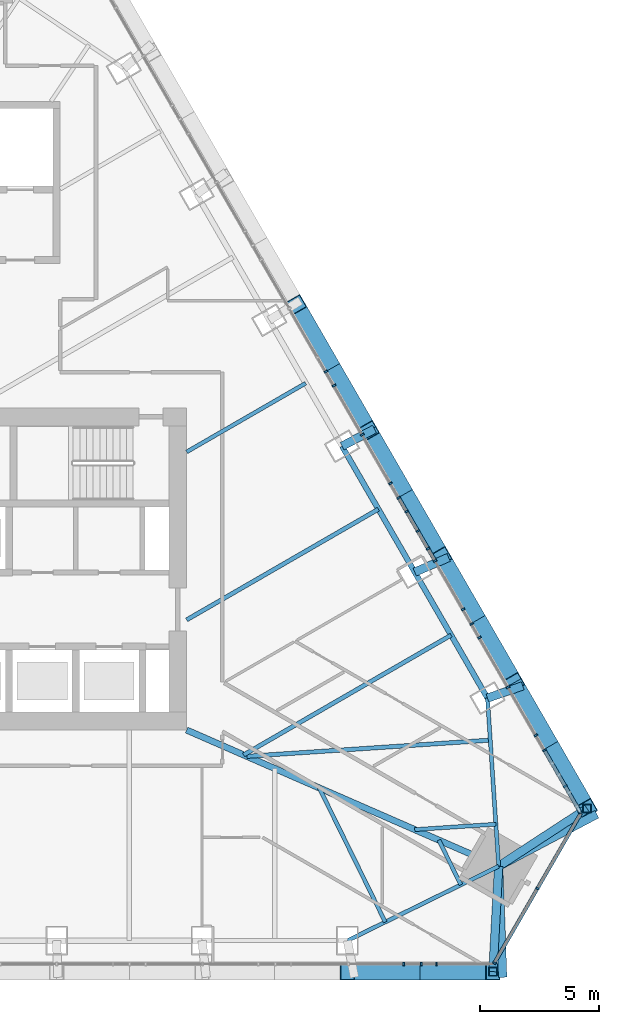
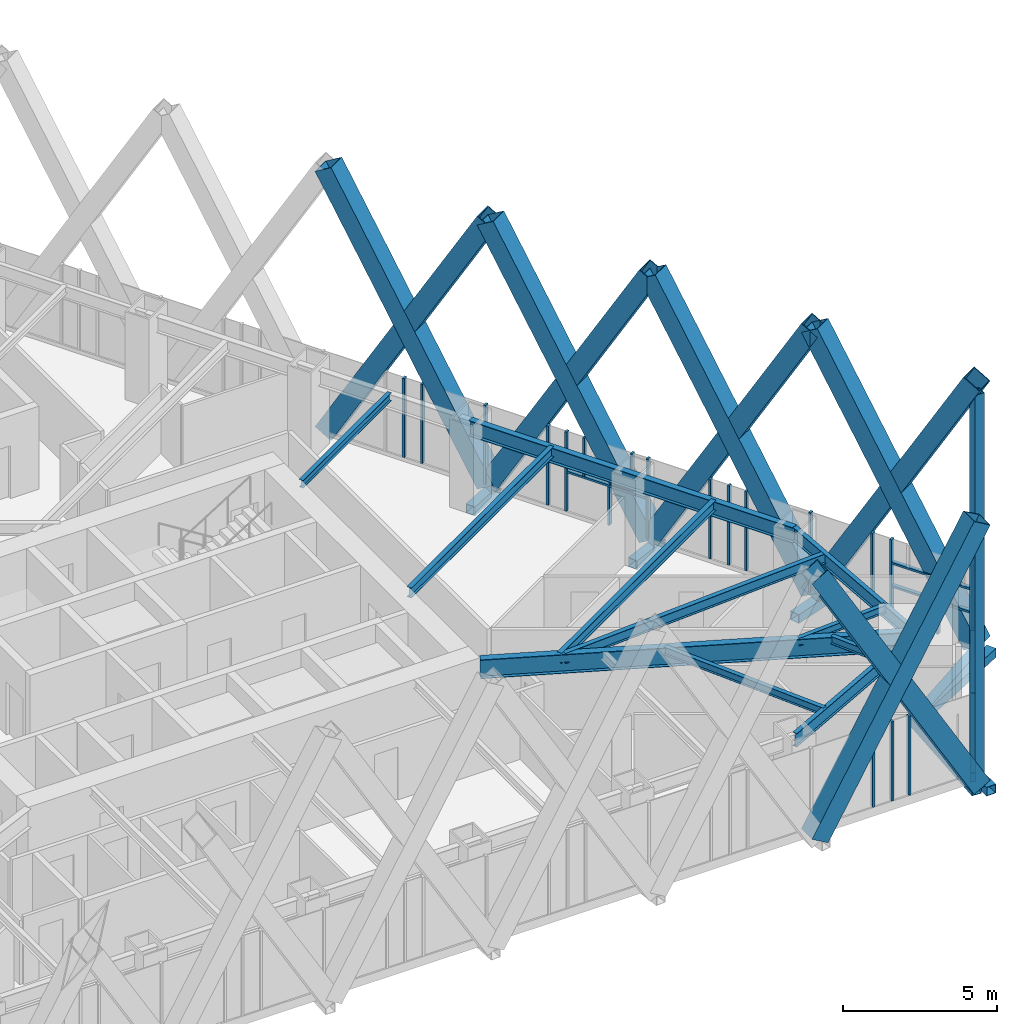
# One storey, part 7 of 23: 45 members, 11 beams, 3 elements without a shape of their own.
"""IFC4 building model written with IfcOpenShell, lengths in metres."""

from ifc_helpers import new_model, si_unit, direction, frame, origin, origin_2d, place, context, subcontext, project, spatial, rectangle, hollow_rectangle, i_section, extrude, material, layer, layer_set, material_profile, profile_set, type_object, element, aggregate, save


model = new_model("IFC4")

# Units and contexts
model_context = context("Model", 3, precision=1e-05, world=origin(), true_north=direction((0.0, 1.0)))
body_context = subcontext(model_context, "Body", "Model", "MODEL_VIEW")
ifc_project = project(units=[si_unit("LENGTHUNIT", "METRE"), si_unit("AREAUNIT", "SQUARE_METRE"), si_unit("VOLUMEUNIT", "CUBIC_METRE"), si_unit("PLANEANGLEUNIT", "RADIAN"), si_unit("MASSUNIT", "GRAM", prefix="KILO")], contexts=[model_context])

# Site, building, storey
site_placement = place(None, origin())
site = spatial("IfcSite", under=ifc_project, at=site_placement, CompositionType="ELEMENT")
building_placement = place(site_placement, origin())
building = spatial("IfcBuilding", under=site, at=building_placement, Name="Firuza Gate Tower and Library", CompositionType="ELEMENT")
storey_placement = place(building_placement, frame((0.0, 0.0, 302.10009765625)))
storey = spatial("IfcBuildingStorey", under=building, at=storey_placement, Name="L73", CompositionType="ELEMENT", Elevation=302.10009765625)

# Members
ifc_material_1 = material(Name="Steel S355", Category="steel")
ifc_material_profile_1 = material_profile(ifc_material_1, hollow_rectangle(XDim=0.699951171875, YDim=0.699951171875, WallThickness=0.030029296875, at=origin_2d()))
ifc_profile_set_1 = profile_set([ifc_material_profile_1], Name="Steel S355")
member_type_1 = type_object("IfcMemberType", Name="BU700x700x30 Lattice brace", PredefinedType="BRACE", material=ifc_profile_set_1)
for number, where, z_axis, x_axis, name in (
    (1, (90.239990234375, 58.124755859375, 0.0), (0.502084580661, 0.0, 0.864818520768), (0.0, 1.0, 0.0), "Lattice brace S 19.7R"),
    (2, (96.3359375, 58.124755859375, 0.0), (-0.502084580661, 0.0, 0.864818520768), (0.0, -1.0, 0.0), "Lattice brace S 19.7L"),
    (3, (100.282470703125, 64.960205078125, 0.0), (-0.251051246141, 0.434820356151, 0.864814737206), (-0.866018852375, -0.500011347202, 0.0), "Lattice brace E 19.1R"),
    (4, (97.234375, 70.239501953125, 0.0), (0.251051246141, -0.434820356151, 0.864814737206), (0.866018852375, 0.500011347202, 0.0), "Lattice brace E 19.1L"),
    (5, (97.234375, 70.239501953125, 0.0), (-0.251032405124, 0.434822551138, 0.864819102818), (-0.866036194175, -0.49998131003, 0.0), "Lattice brace E 19.2R"),
    (6, (94.1865234375, 75.518798828125, 0.0), (0.251032405124, -0.434822551138, 0.864819102818), (0.866036194175, 0.49998131003, 0.0), "Lattice brace E 19.2L"),
    (7, (94.1865234375, 75.518798828125, 0.0), (-0.251051246141, 0.434820356151, 0.864814737206), (-0.866018852375, -0.500011347202, 0.0), "Lattice brace E 19.3R"),
    (8, (91.138427734375, 80.798095703125, 0.0), (0.251051246141, -0.434820356151, 0.864814737206), (0.866018852375, 0.500011347202, 0.0), "Lattice brace E 19.3L"),
    (9, (91.138427734375, 80.798095703125, 0.0), (-0.251051246141, 0.434820356151, 0.864814737206), (-0.866018852375, -0.500011347202, 0.0), "Lattice brace E 19.4R"),
    (10, (88.09033203125, 86.077392578125, 0.0), (0.251051246141, -0.434820356151, 0.864814737206), (0.866018852375, 0.500011347202, 0.0), "Lattice brace E 19.4L"),
):
    element("IfcMember", number, at=place(storey_placement, frame(where, z_axis=z_axis, x_axis=x_axis)), inside=storey, type_object=member_type_1, Name=name, PredefinedType="BRACE", context=body_context, shape_type="SweptSolid", body=[
        extrude(hollow_rectangle(XDim=0.699951171875, YDim=0.699951171875, WallThickness=0.030029296875, at=origin_2d()), origin(), (0.0, 0.0, 1.0), 12.141357421875),
    ])

# Curtain wall, members
ifc_material_2 = material(Name="Aluminium 6063-T6", Category="aluminium")
ifc_layer_1 = layer(ifc_material_2, 0.14990234375)
ifc_layer_set_1 = layer_set([ifc_layer_1], Name="Unitised curtain wall, residences")
curtain_wall_type_1 = type_object("IfcCurtainWallType", Name="Unitised curtain wall, residences", PredefinedType="NOTDEFINED", material=ifc_layer_set_1)
placement = place(storey_placement, origin())
curtain_wall_1 = element("IfcCurtainWall", 11, at=placement, inside=storey, type_object=curtain_wall_type_1, Name="CW3 L73 S face", PredefinedType="NOTDEFINED")
ifc_material_3 = material(Name="Aluminium 6063-T6", Category="aluminium")
ifc_material_profile_2 = material_profile(ifc_material_3, rectangle(XDim=0.14990234375, YDim=0.080078125, at=origin_2d()))
ifc_profile_set_2 = profile_set([ifc_material_profile_2], Name="Aluminium 6063-T6")
member_type_2 = type_object("IfcMemberType", Name="Curtain wall mullion 80x150", PredefinedType="MULLION", material=ifc_profile_set_2)
member_1_placement = place(storey_placement, frame((93.3251953125, 58.44970703125, 0.14990234375), z_axis=(0.0, 0.0, 1.0), x_axis=(0.0, 1.0, 0.0)))
member_1 = element("IfcMember", 12, at=member_1_placement, type_object=member_type_2, Name="Mullion", PredefinedType="MULLION", context=body_context, shape_type="SweptSolid", body=[
    extrude(rectangle(XDim=0.14990234375, YDim=0.080078125, at=origin_2d()), origin(), (0.0, 0.0, 1.0), 3.14990234375),
])
member_2_placement = place(storey_placement, frame((92.605712890625, 58.44970703125, 0.14990234375), z_axis=(0.0, 0.0, 1.0), x_axis=(0.0, 1.0, 0.0)))
member_2 = element("IfcMember", 13, at=member_2_placement, type_object=member_type_2, Name="Mullion", PredefinedType="MULLION", context=body_context, shape_type="SweptSolid", body=[
    extrude(rectangle(XDim=0.14990234375, YDim=0.080078125, at=origin_2d()), origin(), (0.0, 0.0, 1.0), 3.14990234375),
])
member_3_placement = place(storey_placement, frame((93.970458984375, 58.44970703125, 0.14990234375), z_axis=(0.0, 0.0, 1.0), x_axis=(0.0, 1.0, 0.0)))
member_3 = element("IfcMember", 14, at=member_3_placement, type_object=member_type_2, Name="Mullion", PredefinedType="MULLION", context=body_context, shape_type="SweptSolid", body=[
    extrude(rectangle(XDim=0.14990234375, YDim=0.080078125, at=origin_2d()), origin(), (0.0, 0.0, 1.0), 3.14990234375),
])
aggregate(curtain_wall_1, [member_1, member_2, member_3])

ifc_material_4 = material(Name="Aluminium 6063-T6", Category="aluminium")
ifc_layer_2 = layer(ifc_material_4, 0.14990234375)
ifc_layer_set_2 = layer_set([ifc_layer_2], Name="Corner curtain wall, chamfers")
curtain_wall_type_2 = type_object("IfcCurtainWallType", Name="Corner curtain wall, chamfers", PredefinedType="NOTDEFINED", material=ifc_layer_set_2)
curtain_wall_2 = element("IfcCurtainWall", 15, at=placement, inside=storey, type_object=curtain_wall_type_2, Name="CW4 L73 SE corner", PredefinedType="NOTDEFINED")
member_4_placement = place(storey_placement, frame((96.3994140625, 58.484375, 0.14990234375), z_axis=(0.0, 0.0, 1.0), x_axis=(-0.866025403784, 0.5, 0.0)))
member_4 = element("IfcMember", 16, at=member_4_placement, type_object=member_type_2, Name="Mullion", PredefinedType="MULLION", context=body_context, shape_type="SweptSolid", body=[
    extrude(rectangle(XDim=0.14990234375, YDim=0.080078125, at=origin_2d()), origin(), (0.0, 0.0, 1.0), 3.14990234375),
])
member_5_placement = place(storey_placement, frame((98.200927734375, 61.60498046875, 0.14990234375), z_axis=(0.0, 0.0, 1.0), x_axis=(-0.866025403784, 0.5, 0.0)))
member_5 = element("IfcMember", 17, at=member_5_placement, type_object=member_type_2, Name="Mullion", PredefinedType="MULLION", context=body_context, shape_type="SweptSolid", body=[
    extrude(rectangle(XDim=0.14990234375, YDim=0.080078125, at=origin_2d()), origin(), (0.0, 0.0, 1.0), 3.14990234375),
])

curtain_wall_3 = element("IfcCurtainWall", 18, at=placement, inside=storey, type_object=curtain_wall_type_1, Name="CW3 L73 E face", PredefinedType="NOTDEFINED")
member_6_placement = place(storey_placement, frame((100.002685546875, 64.794677734375, 0.14990234375), z_axis=(0.0, 0.0, 1.0), x_axis=(-0.866025403784, -0.5, 0.0)))
member_6 = element("IfcMember", 19, at=member_6_placement, type_object=member_type_2, Name="Mullion", PredefinedType="MULLION", context=body_context, shape_type="SweptSolid", body=[
    extrude(rectangle(XDim=0.14990234375, YDim=0.080078125, at=origin_2d()), origin(), (0.0, 0.0, 1.0), 3.14990234375),
])
member_7_placement = place(storey_placement, frame((98.49560546875, 67.405029296875, 0.14990234375), z_axis=(0.0, 0.0, 1.0), x_axis=(-0.866025403784, -0.5, 0.0)))
member_7 = element("IfcMember", 20, at=member_7_placement, type_object=member_type_2, Name="Mullion", PredefinedType="MULLION", context=body_context, shape_type="SweptSolid", body=[
    extrude(rectangle(XDim=0.14990234375, YDim=0.080078125, at=origin_2d()), origin(), (0.0, 0.0, 1.0), 3.14990234375),
])
member_8_placement = place(storey_placement, frame((96.968505859375, 70.050048828125, 0.14990234375), z_axis=(0.0, 0.0, 1.0), x_axis=(-0.866025403784, -0.5, 0.0)))
member_8 = element("IfcMember", 21, at=member_8_placement, type_object=member_type_2, Name="Mullion", PredefinedType="MULLION", context=body_context, shape_type="SweptSolid", body=[
    extrude(rectangle(XDim=0.14990234375, YDim=0.080078125, at=origin_2d()), origin(), (0.0, 0.0, 1.0), 3.14990234375),
])
member_9_placement = place(storey_placement, frame((95.44140625, 72.695068359375, 0.14990234375), z_axis=(0.0, 0.0, 1.0), x_axis=(-0.866025403784, -0.5, 0.0)))
member_9 = element("IfcMember", 22, at=member_9_placement, type_object=member_type_2, Name="Mullion", PredefinedType="MULLION", context=body_context, shape_type="SweptSolid", body=[
    extrude(rectangle(XDim=0.14990234375, YDim=0.080078125, at=origin_2d()), origin(), (0.0, 0.0, 1.0), 3.14990234375),
])
member_10_placement = place(storey_placement, frame((93.914306640625, 75.340087890625, 0.14990234375), z_axis=(0.0, 0.0, 1.0), x_axis=(-0.866025403784, -0.5, 0.0)))
member_10 = element("IfcMember", 23, at=member_10_placement, type_object=member_type_2, Name="Mullion", PredefinedType="MULLION", context=body_context, shape_type="SweptSolid", body=[
    extrude(rectangle(XDim=0.14990234375, YDim=0.080078125, at=origin_2d()), origin(), (0.0, 0.0, 1.0), 3.14990234375),
])
member_11_placement = place(storey_placement, frame((92.38720703125, 77.985107421875, 0.14990234375), z_axis=(0.0, 0.0, 1.0), x_axis=(-0.866025403784, -0.5, 0.0)))
member_11 = element("IfcMember", 24, at=member_11_placement, type_object=member_type_2, Name="Mullion", PredefinedType="MULLION", context=body_context, shape_type="SweptSolid", body=[
    extrude(rectangle(XDim=0.14990234375, YDim=0.080078125, at=origin_2d()), origin(), (0.0, 0.0, 1.0), 3.14990234375),
])
member_12_placement = place(storey_placement, frame((90.860107421875, 80.630126953125, 0.14990234375), z_axis=(0.0, 0.0, 1.0), x_axis=(-0.866025403784, -0.5, 0.0)))
member_12 = element("IfcMember", 25, at=member_12_placement, type_object=member_type_2, Name="Mullion", PredefinedType="MULLION", context=body_context, shape_type="SweptSolid", body=[
    extrude(rectangle(XDim=0.14990234375, YDim=0.080078125, at=origin_2d()), origin(), (0.0, 0.0, 1.0), 3.14990234375),
])
member_13_placement = place(storey_placement, frame((89.3330078125, 83.275146484375, 0.14990234375), z_axis=(0.0, 0.0, 1.0), x_axis=(-0.866025403784, -0.5, 0.0)))
member_13 = element("IfcMember", 26, at=member_13_placement, type_object=member_type_2, Name="Mullion", PredefinedType="MULLION", context=body_context, shape_type="SweptSolid", body=[
    extrude(rectangle(XDim=0.14990234375, YDim=0.080078125, at=origin_2d()), origin(), (0.0, 0.0, 1.0), 3.14990234375),
])
member_14_placement = place(storey_placement, frame((99.36669921875, 65.89599609375, 0.14990234375), z_axis=(0.0, 0.0, 1.0), x_axis=(-0.866025403784, -0.5, 0.0)))
member_14 = element("IfcMember", 27, at=member_14_placement, type_object=member_type_2, Name="Mullion", PredefinedType="MULLION", context=body_context, shape_type="SweptSolid", body=[
    extrude(rectangle(XDim=0.14990234375, YDim=0.080078125, at=origin_2d()), origin(), (0.0, 0.0, 1.0), 1.260009765625),
])
member_15_placement = place(storey_placement, frame((98.1357421875, 68.0283203125, 0.14990234375), z_axis=(0.0, 0.0, 1.0), x_axis=(-0.866025403784, -0.5, 0.0)))
member_15 = element("IfcMember", 28, at=member_15_placement, type_object=member_type_2, Name="Mullion", PredefinedType="MULLION", context=body_context, shape_type="SweptSolid", body=[
    extrude(rectangle(XDim=0.14990234375, YDim=0.080078125, at=origin_2d()), origin(), (0.0, 0.0, 1.0), 3.14990234375),
])
member_16_placement = place(storey_placement, frame((95.770263671875, 72.12548828125, 0.14990234375), z_axis=(0.0, 0.0, 1.0), x_axis=(-0.866025403784, -0.5, 0.0)))
member_16 = element("IfcMember", 29, at=member_16_placement, type_object=member_type_2, Name="Mullion", PredefinedType="MULLION", context=body_context, shape_type="SweptSolid", body=[
    extrude(rectangle(XDim=0.14990234375, YDim=0.080078125, at=origin_2d()), origin(), (0.0, 0.0, 1.0), 3.14990234375),
])
member_17_placement = place(storey_placement, frame((95.087646484375, 73.3076171875, 0.14990234375), z_axis=(0.0, 0.0, 1.0), x_axis=(-0.866025403784, -0.5, 0.0)))
member_17 = element("IfcMember", 30, at=member_17_placement, type_object=member_type_2, Name="Mullion", PredefinedType="MULLION", context=body_context, shape_type="SweptSolid", body=[
    extrude(rectangle(XDim=0.14990234375, YDim=0.080078125, at=origin_2d()), origin(), (0.0, 0.0, 1.0), 3.14990234375),
])
member_18_placement = place(storey_placement, frame((93.19091796875, 76.5927734375, 0.14990234375), z_axis=(0.0, 0.0, 1.0), x_axis=(-0.866025403784, -0.5, 0.0)))
member_18 = element("IfcMember", 31, at=member_18_placement, type_object=member_type_2, Name="Mullion", PredefinedType="MULLION", context=body_context, shape_type="SweptSolid", body=[
    extrude(rectangle(XDim=0.14990234375, YDim=0.080078125, at=origin_2d()), origin(), (0.0, 0.0, 1.0), 1.534912109375),
])
member_19_placement = place(storey_placement, frame((93.617431640625, 75.854248046875, 1.764892578125), z_axis=(0.0, 0.0, 1.0), x_axis=(-0.866025403784, -0.5, 0.0)))
member_19 = element("IfcMember", 32, at=member_19_placement, type_object=member_type_2, Name="Mullion", PredefinedType="MULLION", context=body_context, shape_type="SweptSolid", body=[
    extrude(rectangle(XDim=0.14990234375, YDim=0.080078125, at=origin_2d()), origin(), (0.0, 0.0, 1.0), 1.534912109375),
])
member_20_placement = place(storey_placement, frame((92.72216796875, 77.40478515625, 1.764892578125), z_axis=(0.0, 0.0, 1.0), x_axis=(-0.866025403784, -0.5, 0.0)))
member_20 = element("IfcMember", 33, at=member_20_placement, type_object=member_type_2, Name="Mullion", PredefinedType="MULLION", context=body_context, shape_type="SweptSolid", body=[
    extrude(rectangle(XDim=0.14990234375, YDim=0.080078125, at=origin_2d()), origin(), (0.0, 0.0, 1.0), 1.534912109375),
])
member_21_placement = place(storey_placement, frame((92.039794921875, 78.5869140625, 0.14990234375), z_axis=(0.0, 0.0, 1.0), x_axis=(-0.866025403784, -0.5, 0.0)))
member_21 = element("IfcMember", 34, at=member_21_placement, type_object=member_type_2, Name="Mullion", PredefinedType="MULLION", context=body_context, shape_type="SweptSolid", body=[
    extrude(rectangle(XDim=0.14990234375, YDim=0.080078125, at=origin_2d()), origin(), (0.0, 0.0, 1.0), 3.14990234375),
])
member_22_placement = place(storey_placement, frame((89.674072265625, 82.68408203125, 0.14990234375), z_axis=(0.0, 0.0, 1.0), x_axis=(-0.866025403784, -0.5, 0.0)))
member_22 = element("IfcMember", 35, at=member_22_placement, type_object=member_type_2, Name="Mullion", PredefinedType="MULLION", context=body_context, shape_type="SweptSolid", body=[
    extrude(rectangle(XDim=0.14990234375, YDim=0.080078125, at=origin_2d()), origin(), (0.0, 0.0, 1.0), 3.14990234375),
])

# Member
ifc_material_5 = material(Name="Aluminium 6063-T6", Category="aluminium")
ifc_material_profile_3 = material_profile(ifc_material_5, rectangle(XDim=0.14990234375, YDim=0.35009765625, at=origin_2d()))
ifc_profile_set_3 = profile_set([ifc_material_profile_3], Name="Aluminium 6063-T6")
member_type_3 = type_object("IfcMemberType", Name="Curtain wall transom 350x150", PredefinedType="USERDEFINED", material=ifc_profile_set_3)
member_23_placement = place(storey_placement, frame((96.37939453125, 58.44970703125, -0.025146484375), z_axis=(0.500005719219, 0.866022101766, 0.0), x_axis=(-0.866022101766, 0.500005719219, 0.0)))
member_23 = element("IfcMember", 36, at=member_23_placement, type_object=member_type_3, Name="Transom", ObjectType="TRANSOM", PredefinedType="USERDEFINED", context=body_context, shape_type="SweptSolid", body=[
    extrude(rectangle(XDim=0.14990234375, YDim=0.35009765625, at=origin_2d()), origin(), (0.0, 0.0, 1.0), 7.28662109375),
])

aggregate(curtain_wall_2, [member_4, member_5, member_23])

ifc_material_6 = material(Name="Aluminium 6063-T6", Category="aluminium")
ifc_material_profile_4 = material_profile(ifc_material_6, rectangle(XDim=0.14990234375, YDim=0.080078125, at=origin_2d()))
ifc_profile_set_4 = profile_set([ifc_material_profile_4], Name="Aluminium 6063-T6")
member_type_4 = type_object("IfcMemberType", Name="Curtain wall transom 80x150", PredefinedType="USERDEFINED", material=ifc_profile_set_4)
member_24_placement = place(storey_placement, frame((100.002685546875, 64.794677734375, 1.449951171875), z_axis=(-0.499997208602, 0.866027015393, 0.0), x_axis=(-0.866027015393, -0.499997208602, 0.0)))
member_24 = element("IfcMember", 37, at=member_24_placement, type_object=member_type_4, Name="Transom", ObjectType="TRANSOM", PredefinedType="USERDEFINED", context=body_context, shape_type="SweptSolid", body=[
    extrude(rectangle(XDim=0.14990234375, YDim=0.080078125, at=origin_2d()), origin(), (0.0, 0.0, 1.0), 2.97412109375),
])

member_25_placement = place(storey_placement, frame((100.002685546875, 64.794677734375, 2.375), z_axis=(-0.499997208602, 0.866027015393, 0.0), x_axis=(-0.866027015393, -0.499997208602, 0.0)))
member_25 = element("IfcMember", 38, at=member_25_placement, type_object=member_type_4, Name="Transom", ObjectType="TRANSOM", PredefinedType="USERDEFINED", context=body_context, shape_type="SweptSolid", body=[
    extrude(rectangle(XDim=0.14990234375, YDim=0.080078125, at=origin_2d()), origin(), (0.0, 0.0, 1.0), 2.97412109375),
])

member_26_placement = place(storey_placement, frame((93.894287109375, 75.374755859375, 1.724853515625), z_axis=(-0.499997208602, 0.866027015393, 0.0), x_axis=(-0.866027015393, -0.499997208602, 0.0)))
member_26 = element("IfcMember", 39, at=member_26_placement, type_object=member_type_4, Name="Transom", ObjectType="TRANSOM", PredefinedType="USERDEFINED", context=body_context, shape_type="SweptSolid", body=[
    extrude(rectangle(XDim=0.14990234375, YDim=0.080078125, at=origin_2d()), origin(), (0.0, 0.0, 1.0), 2.97412109375),
])

aggregate(curtain_wall_3, [member_6, member_7, member_8, member_9, member_10, member_11, member_12, member_13, member_14, member_24, member_25, member_15, member_16, member_17, member_18, member_19, member_20, member_26, member_21, member_22])

# Members
ifc_material_7 = material(Name="Steel S355", Category="steel")
ifc_material_profile_5 = material_profile(ifc_material_7, hollow_rectangle(XDim=0.355712890625, YDim=0.355712890625, WallThickness=0.014892578125, at=origin_2d()))
ifc_profile_set_5 = profile_set([ifc_material_profile_5], Name="Steel S355")
member_type_5 = type_object("IfcMemberType", Name="HSS356x356x16 Lattice corner stile", PredefinedType="BRACE", material=ifc_profile_set_5)
for number, where, z_axis, x_axis, name in (
    (40, (96.3359375, 58.124755859375, -0.14013671875), (0.0, 0.0, 1.0), (1.0, 0.0, 0.0), "Lattice corner stile S 19.B"),
    (41, (100.282470703125, 64.960205078125, -0.14013671875), (0.0, 0.0, 1.0), (1.0, 0.0, 0.0), "Lattice corner stile E 19.A"),
):
    element("IfcMember", number, at=place(storey_placement, frame(where, z_axis=z_axis, x_axis=x_axis)), inside=storey, type_object=member_type_5, Name=name, PredefinedType="BRACE", context=body_context, shape_type="SweptSolid", body=[
        extrude(hollow_rectangle(XDim=0.355712890625, YDim=0.355712890625, WallThickness=0.014892578125, at=origin_2d()), origin(), (0.0, 0.0, 1.0), 10.14013671875),
    ])
ifc_material_8 = material(Name="Steel S355", Category="steel")
ifc_material_profile_6 = material_profile(ifc_material_8, hollow_rectangle(XDim=0.355712890625, YDim=0.355712890625, WallThickness=0.014892578125, at=origin_2d()))
ifc_profile_set_6 = profile_set([ifc_material_profile_6], Name="Steel S355")
member_type_6 = type_object("IfcMemberType", Name="HSS356x356x16 Lattice node tie", PredefinedType="BRACE", material=ifc_profile_set_6)
member_27_placement = place(storey_placement, frame((90.0126953125, 80.14794921875, -0.320068359375), z_axis=(0.88443570932, 0.466662057681, 0.0), x_axis=(-0.466662057681, 0.88443570932, 0.0)))
element("IfcMember", 42, at=member_27_placement, inside=storey, type_object=member_type_6, Name="Lattice node tie E L73 504", PredefinedType="BRACE", context=body_context, shape_type="SweptSolid", body=[
    extrude(hollow_rectangle(XDim=0.355712890625, YDim=0.355712890625, WallThickness=0.014892578125, at=origin_2d()), origin(), (0.0, 0.0, 1.0), 1.5380859375),
])
member_28_placement = place(storey_placement, frame((93.060546875, 74.86865234375, -0.320068359375), z_axis=(0.917265622356, 0.398276007367, 0.0), x_axis=(-0.398276007367, 0.917265622356, 0.0)))
element("IfcMember", 43, at=member_28_placement, inside=storey, type_object=member_type_6, Name="Lattice node tie E L73 505", PredefinedType="BRACE", context=body_context, shape_type="SweptSolid", body=[
    extrude(hollow_rectangle(XDim=0.355712890625, YDim=0.355712890625, WallThickness=0.014892578125, at=origin_2d()), origin(), (0.0, 0.0, 1.0), 1.547119140625),
])
member_29_placement = place(storey_placement, frame((96.108642578125, 69.58935546875, -0.320068359375), z_axis=(0.944370440035, 0.328883675466, 0.0), x_axis=(-0.328883675466, 0.944370440035, 0.0)))
element("IfcMember", 44, at=member_29_placement, inside=storey, type_object=member_type_6, Name="Lattice node tie E L73 506", PredefinedType="BRACE", context=body_context, shape_type="SweptSolid", body=[
    extrude(hollow_rectangle(XDim=0.355712890625, YDim=0.355712890625, WallThickness=0.014892578125, at=origin_2d()), origin(), (0.0, 0.0, 1.0), 1.56494140625),
])
member_30_placement = place(storey_placement, frame((96.5771484375, 62.54248046875, -0.320068359375), z_axis=(0.883665489861, 0.468118897322, 0.0), x_axis=(-0.468118897322, 0.883665489861, 0.0)))
element("IfcMember", 45, at=member_30_placement, inside=storey, type_object=member_type_6, Name="Lattice node tie E L73 507", PredefinedType="BRACE", context=body_context, shape_type="SweptSolid", body=[
    extrude(hollow_rectangle(XDim=0.355712890625, YDim=0.355712890625, WallThickness=0.014892578125, at=origin_2d()), origin(), (0.0, 0.0, 1.0), 4.65771484375),
])
member_31_placement = place(storey_placement, frame((96.5771484375, 62.54248046875, -0.320068359375), z_axis=(0.837485429113, 0.546459656355, 0.0), x_axis=(-0.546459656355, 0.837485429113, 0.0)))
element("IfcMember", 46, at=member_31_placement, inside=storey, type_object=member_type_6, Name="Lattice node tie E L73 508", PredefinedType="BRACE", context=body_context, shape_type="SweptSolid", body=[
    extrude(hollow_rectangle(XDim=0.355712890625, YDim=0.355712890625, WallThickness=0.014892578125, at=origin_2d()), origin(), (0.0, 0.0, 1.0), 4.42431640625),
])
member_32_placement = place(storey_placement, frame((96.5771484375, 62.54248046875, -0.320068359375), z_axis=(0.036375784036, -0.999338182166, 0.0), x_axis=(0.999338182166, 0.036375784036, 0.0)))
element("IfcMember", 47, at=member_32_placement, inside=storey, type_object=member_type_6, Name="Lattice node tie S L73 517", PredefinedType="BRACE", context=body_context, shape_type="SweptSolid", body=[
    extrude(hollow_rectangle(XDim=0.355712890625, YDim=0.355712890625, WallThickness=0.014892578125, at=origin_2d()), origin(), (0.0, 0.0, 1.0), 4.657958984375),
])
member_33_placement = place(storey_placement, frame((96.5771484375, 62.54248046875, -0.320068359375), z_axis=(-0.054519511079, -0.998512705433, 0.0), x_axis=(0.998512705433, -0.054519511079, 0.0)))
element("IfcMember", 48, at=member_33_placement, inside=storey, type_object=member_type_6, Name="Lattice node tie S L73 518", PredefinedType="BRACE", context=body_context, shape_type="SweptSolid", body=[
    extrude(hollow_rectangle(XDim=0.355712890625, YDim=0.355712890625, WallThickness=0.014892578125, at=origin_2d()), origin(), (0.0, 0.0, 1.0), 4.42431640625),
])

# Beams
ifc_material_9 = material(Name="Steel S355", Category="steel")
ifc_material_profile_7 = material_profile(ifc_material_9, i_section(OverallWidth=0.1650390625, OverallDepth=0.31005859375, WebThickness=0.005859375, FlangeThickness=0.009765625, at=origin_2d()))
ifc_profile_set_7 = profile_set([ifc_material_profile_7], Name="Steel S355")
beam_type_1 = type_object("IfcBeamType", Name="W310x39 Floor beam", PredefinedType="JOIST", material=ifc_profile_set_7)
beam_1_placement = place(storey_placement, frame((91.82421875, 60.2041015625, 3.14501953125), z_axis=(-0.44141897367, 0.897301114278, 0.0), x_axis=(-0.897301114278, -0.44141897367, 0.0)))
element("IfcBeam", 49, at=beam_1_placement, inside=storey, type_object=beam_type_1, Name="Floor beam L73 s30", PredefinedType="JOIST", context=body_context, shape_type="SweptSolid", body=[
    extrude(i_section(OverallWidth=0.1650390625, OverallDepth=0.31005859375, WebThickness=0.005859375, FlangeThickness=0.009765625, at=origin_2d()), origin(), (0.0, 0.0, 1.0), 6.262451171875),
])
beam_2_placement = place(storey_placement, frame((94.992919921875, 61.762939453125, 3.14501953125), z_axis=(-0.44149718948, 0.8972626325, 0.0), x_axis=(-0.8972626325, -0.44149718948, 0.0)))
element("IfcBeam", 50, at=beam_2_placement, inside=storey, type_object=beam_type_1, Name="Floor beam L73 s31", PredefinedType="JOIST", context=body_context, shape_type="SweptSolid", body=[
    extrude(i_section(OverallWidth=0.1650390625, OverallDepth=0.31005859375, WebThickness=0.005859375, FlangeThickness=0.009765625, at=origin_2d()), origin(), (0.0, 0.0, 1.0), 2.08740234375),
])
beam_3_placement = place(storey_placement, frame((96.4599609375, 64.30419921875, 3.14501953125), z_axis=(-0.997798132609, -0.066324102419, 0.0), x_axis=(0.066324102419, -0.997798132609, 0.0)))
element("IfcBeam", 51, at=beam_3_placement, inside=storey, type_object=beam_type_1, Name="Floor beam L73 s40", PredefinedType="JOIST", context=body_context, shape_type="SweptSolid", body=[
    extrude(i_section(OverallWidth=0.1650390625, OverallDepth=0.31005859375, WebThickness=0.005859375, FlangeThickness=0.009765625, at=origin_2d()), origin(), (0.0, 0.0, 1.0), 3.40869140625),
])
beam_4_placement = place(storey_placement, frame((88.488525390625, 82.78759765625, 3.14501953125), z_axis=(-0.866025368003, -0.500000061975, 0.0), x_axis=(0.500000061975, -0.866025368003, 0.0)))
element("IfcBeam", 52, at=beam_4_placement, inside=storey, type_object=beam_type_1, Name="Floor beam L73 s52", PredefinedType="JOIST", context=body_context, shape_type="SweptSolid", body=[
    extrude(i_section(OverallWidth=0.1650390625, OverallDepth=0.31005859375, WebThickness=0.005859375, FlangeThickness=0.009765625, at=origin_2d()), origin(), (0.0, 0.0, 1.0), 5.76025390625),
])
ifc_material_10 = material(Name="Steel S355", Category="steel")
ifc_material_profile_8 = material_profile(ifc_material_10, i_section(OverallWidth=0.177978515625, OverallDepth=0.406982421875, WebThickness=0.0078125, FlangeThickness=0.0126953125, at=origin_2d()))
ifc_profile_set_8 = profile_set([ifc_material_profile_8], Name="Steel S355")
beam_type_2 = type_object("IfcBeamType", Name="W410x60 Floor beam", PredefinedType="JOIST", material=ifc_profile_set_8)
beam_5_placement = place(storey_placement, frame((96.225830078125, 67.82763671875, 3.096435546875), z_axis=(-0.997796657436, -0.066346291597, 0.0), x_axis=(0.066346291597, -0.997796657436, 0.0)))
element("IfcBeam", 53, at=beam_5_placement, inside=storey, type_object=beam_type_2, Name="Floor beam L73 s41", PredefinedType="JOIST", context=body_context, shape_type="SweptSolid", body=[
    extrude(i_section(OverallWidth=0.177978515625, OverallDepth=0.406982421875, WebThickness=0.0078125, FlangeThickness=0.0126953125, at=origin_2d()), origin(), (0.0, 0.0, 1.0), 10.22607421875),
])
beam_6_placement = place(storey_placement, frame((94.58447265625, 72.22900390625, 3.096435546875), z_axis=(-0.866029312411, -0.499993229999, 0.0), x_axis=(0.499993229999, -0.866029312411, 0.0)))
element("IfcBeam", 54, at=beam_6_placement, inside=storey, type_object=beam_type_2, Name="Floor beam L73 s50", PredefinedType="JOIST", context=body_context, shape_type="SweptSolid", body=[
    extrude(i_section(OverallWidth=0.177978515625, OverallDepth=0.406982421875, WebThickness=0.0078125, FlangeThickness=0.0126953125, at=origin_2d()), origin(), (0.0, 0.0, 1.0), 10.042236328125),
])
beam_7_placement = place(storey_placement, frame((91.53662109375, 77.50830078125, 3.096435546875), z_axis=(-0.866027866277, -0.499995734814, 0.0), x_axis=(0.499995734814, -0.866027866277, 0.0)))
element("IfcBeam", 55, at=beam_7_placement, inside=storey, type_object=beam_type_2, Name="Floor beam L73 s51", PredefinedType="JOIST", context=body_context, shape_type="SweptSolid", body=[
    extrude(i_section(OverallWidth=0.177978515625, OverallDepth=0.406982421875, WebThickness=0.0078125, FlangeThickness=0.0126953125, at=origin_2d()), origin(), (0.0, 0.0, 1.0), 9.27978515625),
])
ifc_material_11 = material(Name="Steel S355", Category="steel")
ifc_material_profile_9 = material_profile(ifc_material_11, i_section(OverallWidth=0.166015625, OverallDepth=0.534912109375, WebThickness=0.01025390625, FlangeThickness=0.0166015625, at=origin_2d()))
ifc_profile_set_9 = profile_set([ifc_material_profile_9], Name="Steel S355")
beam_type_3 = type_object("IfcBeamType", Name="W530x85 Edge beam", PredefinedType="SPANDREL", material=ifc_profile_set_9)
for number, where, z_axis, x_axis, name in (
    (56, (90.239990234375, 59.4248046875, 3.032470703125), (0.897291608696, 0.44143829576, 0.0), (-0.44143829576, 0.897291608696, 0.0), "Edge beam L73 e30"),
    (57, (96.5771484375, 62.54248046875, 3.032470703125), (-0.066337752051, 0.997797225218, 0.0), (-0.997797225218, -0.066337752051, 0.0), "Edge beam L73 e40"),
):
    element("IfcBeam", number, at=place(storey_placement, frame(where, z_axis=z_axis, x_axis=x_axis)), inside=storey, type_object=beam_type_3, Name=name, PredefinedType="SPANDREL", context=body_context, shape_type="SweptSolid", body=[
        extrude(i_section(OverallWidth=0.166015625, OverallDepth=0.534912109375, WebThickness=0.01025390625, FlangeThickness=0.0166015625, at=origin_2d()), origin(), (0.0, 0.0, 1.0), 7.0625),
    ])
ifc_material_12 = material(Name="Steel S355", Category="steel")
ifc_material_profile_10 = material_profile(ifc_material_12, i_section(OverallWidth=0.22900390625, OverallDepth=0.612060546875, WebThickness=0.011962890625, FlangeThickness=0.01953125, at=origin_2d()))
ifc_profile_set_10 = profile_set([ifc_material_profile_10], Name="Steel S355")
beam_type_4 = type_object("IfcBeamType", Name="W610x125 Edge beam", PredefinedType="SPANDREL", material=ifc_profile_set_10)
beam_8_placement = place(storey_placement, frame((96.108642578125, 69.58935546875, 2.993896484375), z_axis=(-0.499996328842, 0.866027523318, 0.0), x_axis=(-0.866027523318, -0.499996328842, 0.0)))
element("IfcBeam", 58, at=beam_8_placement, inside=storey, type_object=beam_type_4, Name="Edge beam L73 e50", PredefinedType="SPANDREL", context=body_context, shape_type="SweptSolid", body=[
    extrude(i_section(OverallWidth=0.22900390625, OverallDepth=0.612060546875, WebThickness=0.011962890625, FlangeThickness=0.01953125, at=origin_2d()), origin(), (0.0, 0.0, 1.0), 12.19189453125),
])
ifc_material_13 = material(Name="Steel S355", Category="steel")
ifc_material_profile_11 = material_profile(ifc_material_13, i_section(OverallWidth=0.264892578125, OverallDepth=0.7529296875, WebThickness=0.01318359375, FlangeThickness=0.01708984375, at=origin_2d()))
ifc_profile_set_11 = profile_set([ifc_material_profile_11], Name="Steel S355")
beam_type_5 = type_object("IfcBeamType", Name="W760x147 Girder", PredefinedType="BEAM", material=ifc_profile_set_11)
beam_9_placement = place(storey_placement, frame((96.5771484375, 62.54248046875, 2.92333984375), z_axis=(-0.916510410118, 0.400010835034, 0.0), x_axis=(-0.400010835034, -0.916510410118, 0.0)))
element("IfcBeam", 59, at=beam_9_placement, inside=storey, type_object=beam_type_5, Name="Girder L73 gSE", PredefinedType="BEAM", context=body_context, shape_type="SweptSolid", body=[
    extrude(i_section(OverallWidth=0.264892578125, OverallDepth=0.7529296875, WebThickness=0.01318359375, FlangeThickness=0.01708984375, at=origin_2d()), origin(), (0.0, 0.0, 1.0), 14.268310546875),
])

save(model, "model.ifc")
